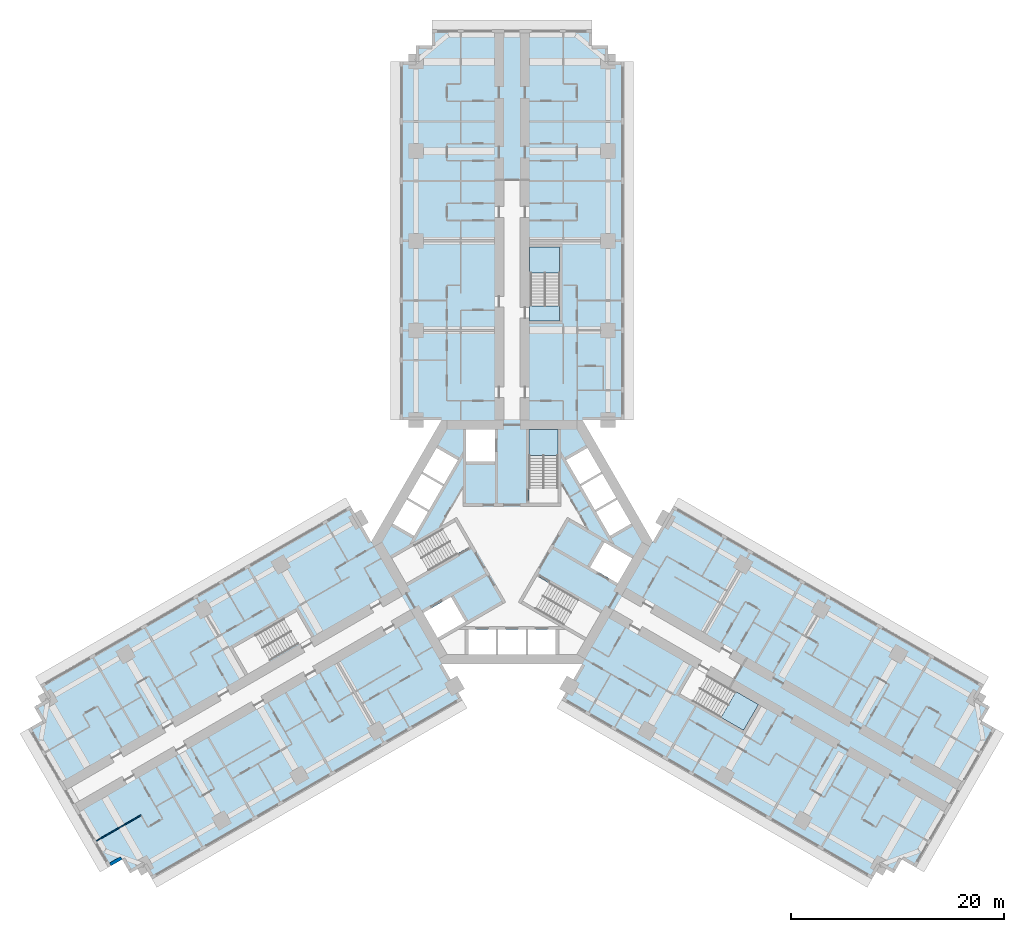
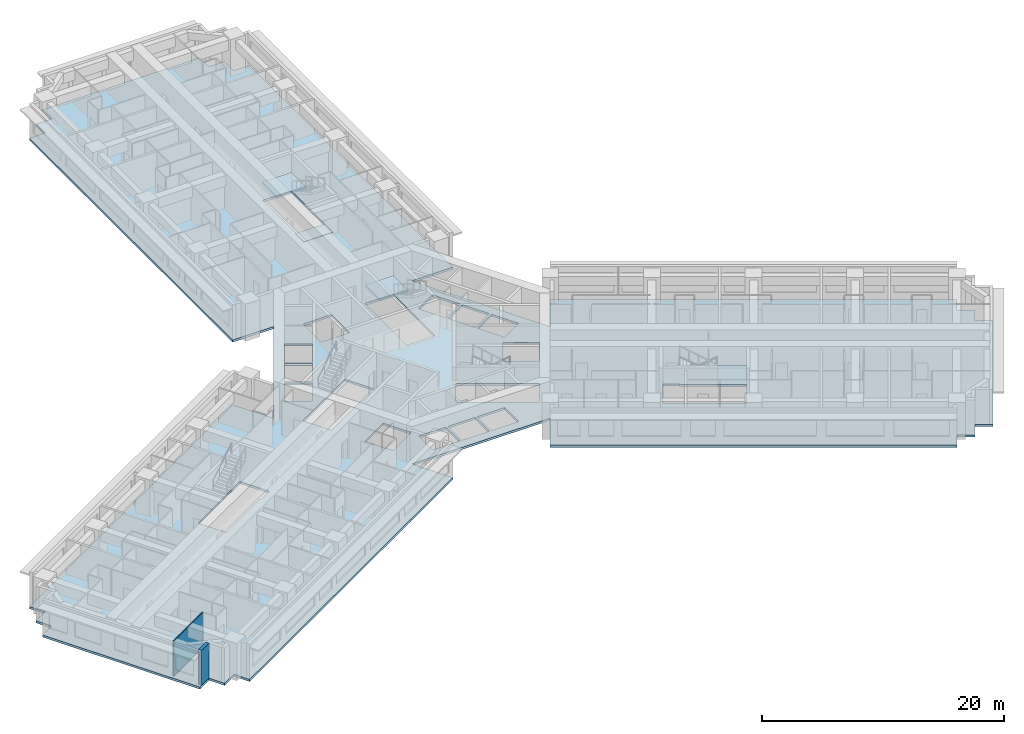
# One storey, part 2 of 16: 5 slabs, 2 walls, 3 elements without a shape of their own.
"""IFC4 building model written with IfcOpenShell, lengths in metres."""

from ifc_helpers import new_model, si_unit, direction, frame, frame_2d, origin, place, context, subcontext, project, spatial, polyline, rectangle, outline, extrude, material, layer, layer_set, type_object, element, aggregate, save


model = new_model("IFC4")

# Units and contexts
model_context = context("Model", 3, precision=1e-05, world=origin(), true_north=direction((0.0, 1.0)))
body_context = subcontext(model_context, "Body", "Model", "MODEL_VIEW")
ifc_project = project(units=[si_unit("LENGTHUNIT", "METRE"), si_unit("AREAUNIT", "SQUARE_METRE"), si_unit("VOLUMEUNIT", "CUBIC_METRE"), si_unit("PLANEANGLEUNIT", "RADIAN"), si_unit("MASSUNIT", "GRAM", prefix="KILO")], contexts=[model_context])

# Site, building, storey
site_placement = place(None, origin())
site = spatial("IfcSite", under=ifc_project, at=site_placement, CompositionType="ELEMENT")
building_placement = place(site_placement, origin())
building = spatial("IfcBuilding", under=site, at=building_placement, Name="Impinga Residences", CompositionType="ELEMENT")
storey_placement = place(building_placement, frame((0.0, 0.0, 52.25)))
storey = spatial("IfcBuildingStorey", under=building, at=storey_placement, Name="L12", CompositionType="ELEMENT", Elevation=52.25)

# Slab
ifc_material_1 = material(Name="Concrete C60/75", Category="concrete")
ifc_layer_1 = layer(ifc_material_1, 0.219970703125)
ifc_layer_set_1 = layer_set([ifc_layer_1], Name="Concrete C60/75")
slab_type_1 = type_object("IfcSlabType", Name="FS1 tower floor slab 220", PredefinedType="FLOOR", material=ifc_layer_set_1)
slab_1_placement = place(storey_placement, frame((0.0, 0.0, -0.219970703125)))
element("IfcSlab", 1, at=slab_1_placement, inside=storey, type_object=slab_type_1, Name="Floor slab FS1 L12", PredefinedType="FLOOR", context=body_context, shape_type="SweptSolid", body=[
    extrude(outline(polyline([(-34.49853515625, -30.31005859375), (-35.797607421875, -31.06005859375), (-36.547607421875, -29.760986328125), (-37.846435546875, -30.510986328125), (-45.346435546875, -17.5205078125), (-44.047607421875, -16.7705078125), (-44.797607421875, -15.471435546875), (-43.49853515625, -14.721435546875), (-44.24853515625, -13.422607421875), (-15.14990234375, 3.37744140625), (-13.199951171875, 0.0), (-6.60009765625, 11.431640625), (-10.5, 11.431640625), (-10.5, 45.031494140625), (-9.0, 45.031494140625), (-9.0, 46.531494140625), (-7.5, 46.531494140625), (-7.5, 48.031494140625), (7.5, 48.031494140625), (7.5, 46.531494140625), (9.0, 46.531494140625), (9.0, 45.031494140625), (10.5, 45.031494140625), (10.5, 11.431640625), (6.60009765625, 11.431640625), (13.199951171875, 0.0), (15.14990234375, 3.37744140625), (44.24853515625, -13.422607421875), (43.49853515625, -14.721435546875), (44.797607421875, -15.471435546875), (44.047607421875, -16.7705078125), (45.346435546875, -17.5205078125), (37.846435546875, -30.510986328125), (36.547607421875, -29.760986328125), (35.797607421875, -31.06005859375), (34.49853515625, -30.31005859375), (33.74853515625, -31.609130859375), (4.64990234375, -14.80908203125), (9.900146484375, -5.7158203125), (6.60009765625, -11.431640625), (-6.60009765625, -11.431640625), (-9.900146484375, -5.7158203125), (-4.64990234375, -14.80908203125), (-33.74853515625, -31.609130859375), (-34.49853515625, -30.31005859375)]), holes=[polyline([(-21.391357421875, -7.2119140625), (-26.154541015625, -9.9619140625), (-24.8046875, -12.30029296875), (-20.04150390625, -9.55029296875), (-19.991455078125, -9.63671875), (-18.779052734375, -8.936767578125), (-18.8291015625, -8.850341796875), (-18.8291015625, -8.850341796875), (-20.178955078125, -6.511962890625), (-21.391357421875, -7.2119140625), (-21.391357421875, -7.2119140625)]), polyline([(-1.5, -8.2314453125), (-4.10009765625, -8.2314453125), (-4.10009765625, -10.531494140625), (-1.5, -10.531494140625), (-1.5, -8.2314453125)]), polyline([(1.300048828125, -8.2314453125), (-1.300048828125, -8.2314453125), (-1.300048828125, -10.531494140625), (1.300048828125, -10.531494140625), (1.300048828125, -8.2314453125)]), polyline([(1.5, -8.2314453125), (1.5, -10.531494140625), (4.10009765625, -10.531494140625), (4.10009765625, -8.2314453125), (1.5, -8.2314453125)]), polyline([(-5.72119140625, -5.150634765625), (-8.320556640625, -6.6513671875), (-6.970458984375, -8.98974609375), (-4.37109375, -7.489013671875), (-5.72119140625, -5.150634765625)]), polyline([(-3.943603515625, -0.429443359375), (-5.293701171875, 1.908935546875), (-11.2705078125, -1.541748046875), (-9.920654296875, -3.880126953125), (-3.943603515625, -0.429443359375)]), polyline([(-9.1787109375, 0.56494140625), (-7.878662109375, 2.816650390625), (-9.87060546875, 3.966796875), (-11.170654296875, 1.715087890625), (-9.1787109375, 0.56494140625)]), polyline([(-6.478759765625, 5.24169921875), (-8.470458984375, 6.3916015625), (-9.7705078125, 4.139892578125), (-7.77880859375, 2.989990234375), (-6.478759765625, 5.24169921875)]), polyline([(-6.378662109375, 5.414794921875), (-5.07861328125, 7.66650390625), (-7.070556640625, 8.81640625), (-8.37060546875, 6.564697265625), (-6.378662109375, 5.414794921875)]), polyline([(-4.300048828125, 7.530029296875), (-1.60009765625, 7.530029296875), (-1.60009765625, 10.531494140625), (-4.300048828125, 10.531494140625), (-4.300048828125, 7.530029296875)]), polyline([(15.72900390625, -14.219482421875), (21.70458984375, -17.669677734375), (23.0546875, -15.331298828125), (18.29150390625, -12.581298828125), (18.341552734375, -12.49462890625), (17.129150390625, -11.794677734375), (15.72900390625, -14.219482421875)]), polyline([(0.99365234375, -5.538818359375), (6.970458984375, -8.98974609375), (8.320556640625, -6.6513671875), (2.34375, -3.20068359375), (0.99365234375, -5.538818359375)]), polyline([(8.671142578125, -0.041015625), (7.3212890625, -2.37939453125), (9.920654296875, -3.880126953125), (11.2705078125, -1.541748046875), (8.671142578125, -0.041015625)]), polyline([(7.878662109375, 2.816650390625), (9.1787109375, 0.56494140625), (11.170654296875, 1.715087890625), (9.87060546875, 3.966796875), (7.878662109375, 2.816650390625)]), polyline([(7.77880859375, 2.989990234375), (9.7705078125, 4.139892578125), (8.470458984375, 6.3916015625), (6.478759765625, 5.24169921875), (7.77880859375, 2.989990234375)]), polyline([(1.60009765625, 3.6298828125), (4.300048828125, 3.6298828125), (4.300048828125, 10.531494140625), (1.60009765625, 10.531494140625), (1.60009765625, 3.6298828125)]), polyline([(5.07861328125, 7.66650390625), (6.378662109375, 5.414794921875), (8.37060546875, 6.564697265625), (7.070556640625, 8.81640625), (5.07861328125, 7.66650390625)]), polyline([(1.75, 22.131591796875), (1.64990234375, 22.131591796875), (1.64990234375, 20.7314453125), (1.75, 20.7314453125), (4.449951171875, 20.7314453125), (4.449951171875, 22.131591796875), (4.449951171875, 27.631591796875), (1.75, 27.631591796875), (1.75, 22.131591796875)])]), origin(), (0.0, 0.0, 1.0), 0.219970703125),
])

# Stair, slab
ifc_material_2 = material(Name="Concrete C40/50", Category="concrete")
stair_type_1 = type_object("IfcStairType", Name="STR core stair 3750 storey, 24 risers", PredefinedType="HALF_TURN_STAIR", material=ifc_material_2)
stair_1_placement = place(storey_placement, origin())
stair_1 = element("IfcStair", 2, at=stair_1_placement, inside=storey, type_object=stair_type_1, Name="Stair ST1 L12", PredefinedType="HALF_TURN_STAIR")
ifc_layer_2 = layer(ifc_material_2, 0.199951171875)
ifc_layer_set_2 = layer_set([ifc_layer_2], Name="Concrete C40/50")
slab_type_2 = type_object("IfcSlabType", Name="LS1 stair landing 200", PredefinedType="LANDING", material=ifc_layer_set_2)
slab_2_placement = place(storey_placement, frame((0.0, 0.0, 1.675048828125)))
slab_2 = element("IfcSlab", 3, at=slab_2_placement, type_object=slab_type_2, Name="ST1 landing 2", PredefinedType="LANDING", context=body_context, shape_type="SweptSolid", body=[
    extrude(outline(polyline([(1.60009765625, 8.10009765625), (4.300048828125, 8.10009765625), (4.300048828125, 10.531494140625), (1.60009765625, 10.531494140625), (1.60009765625, 8.10009765625)])), origin(), (0.0, 0.0, 1.0), 0.199951171875),
])
aggregate(stair_1, [slab_2])

# Stair, slabs
stair_type_2 = type_object("IfcStairType", Name="STR wing stair 3750 storey, 24 risers", PredefinedType="HALF_TURN_STAIR", material=ifc_material_2)
stair_2_placement = place(storey_placement, origin())
stair_2 = element("IfcStair", 4, at=stair_2_placement, inside=storey, type_object=stair_type_2, Name="Stair WS1 L12", PredefinedType="HALF_TURN_STAIR")
slab_3_placement = place(storey_placement, frame((0.0, 0.0, -0.199951171875)))
slab_3 = element("IfcSlab", 5, at=slab_3_placement, type_object=slab_type_2, Name="WS1 landing 1", PredefinedType="LANDING", context=body_context, shape_type="SweptSolid", body=[
    extrude(outline(polyline([(1.64990234375, 20.7314453125), (4.449951171875, 20.7314453125), (4.449951171875, 22.1416015625), (1.64990234375, 22.1416015625), (1.64990234375, 20.7314453125)])), origin(), (0.0, 0.0, 1.0), 0.199951171875),
])
slab_4_placement = place(storey_placement, frame((0.0, 0.0, 1.675048828125)))
slab_4 = element("IfcSlab", 6, at=slab_4_placement, type_object=slab_type_2, Name="WS1 landing 2", PredefinedType="LANDING", context=body_context, shape_type="SweptSolid", body=[
    extrude(outline(polyline([(1.64990234375, 25.201416015625), (4.449951171875, 25.201416015625), (4.449951171875, 27.631591796875), (1.64990234375, 27.631591796875), (1.64990234375, 25.201416015625)])), origin(), (0.0, 0.0, 1.0), 0.199951171875),
])
aggregate(stair_2, [slab_3, slab_4])

# Stair, slab
stair_3_placement = place(storey_placement, origin())
stair_3 = element("IfcStair", 7, at=stair_3_placement, inside=storey, type_object=stair_type_2, Name="Stair WS3 L12", PredefinedType="HALF_TURN_STAIR")
slab_5_placement = place(storey_placement, frame((0.0, 0.0, 1.675048828125)))
slab_5 = element("IfcSlab", 8, at=slab_5_placement, type_object=slab_type_2, Name="WS3 landing 2", PredefinedType="LANDING", context=body_context, shape_type="SweptSolid", body=[
    extrude(outline(polyline([(21.000244140625, -14.02978515625), (19.60009765625, -16.45458984375), (21.70458984375, -17.669677734375), (23.1044921875, -15.24462890625), (21.000244140625, -14.02978515625)])), origin(), (0.0, 0.0, 1.0), 0.199951171875),
])
aggregate(stair_3, [slab_5])

# Walls
ifc_material_3 = material(Name="Terracotta rainscreen on blockwork", Category="masonry")
ifc_layer_3 = layer(ifc_material_3, 0.300048828125)
ifc_layer_set_3 = layer_set([ifc_layer_3], Name="EW1 external wall, terracotta rainscreen on blockwork 300")
wall_type_1 = type_object("IfcWallType", Name="EW1 external wall, terracotta rainscreen on blockwork 300", PredefinedType="SOLIDWALL", material=ifc_layer_set_3)
wall_1_placement = place(storey_placement, frame((-36.626708984375, -29.633544921875, 0.0), z_axis=(0.0, 0.0, 1.0), x_axis=(-0.866059708757, -0.499940577336, 0.0)))
element("IfcWall", 9, at=wall_1_placement, inside=storey, type_object=wall_type_1, Name="External wall EW1 L12", PredefinedType="SOLIDWALL", context=body_context, shape_type="SweptSolid", body=[
    extrude(rectangle(XDim=1.195068359375, YDim=0.300048828125, at=frame_2d((0.59765625, 0.0))), origin(), (0.0, 0.0, 1.0), 3.530029296875),
])
ifc_material_4 = material(Name="Gypsum board on steel studs", Category="steel")
ifc_layer_4 = layer(ifc_material_4, 0.10009765625)
ifc_layer_set_4 = layer_set([ifc_layer_4], Name="Gypsum board on steel studs")
wall_type_2 = type_object("IfcWallType", Name="IP1 partition 100", PredefinedType="PARTITIONING", material=ifc_layer_set_4)
wall_2_placement = place(storey_placement, frame((-34.77978515625, -25.622802734375, 0.0), z_axis=(0.0, 0.0, 1.0), x_axis=(-0.866037363387, -0.499979284789, 0.0)))
element("IfcWall", 10, at=wall_2_placement, inside=storey, type_object=wall_type_2, Name="Partition L12-WA5:DIV1", PredefinedType="PARTITIONING", context=body_context, shape_type="SweptSolid", body=[
    extrude(rectangle(XDim=4.800048828125, YDim=0.10009765625, at=frame_2d((2.39990234375, 0.0))), origin(), (0.0, 0.0, 1.0), 3.530029296875),
])

save(model, "model.ifc")
